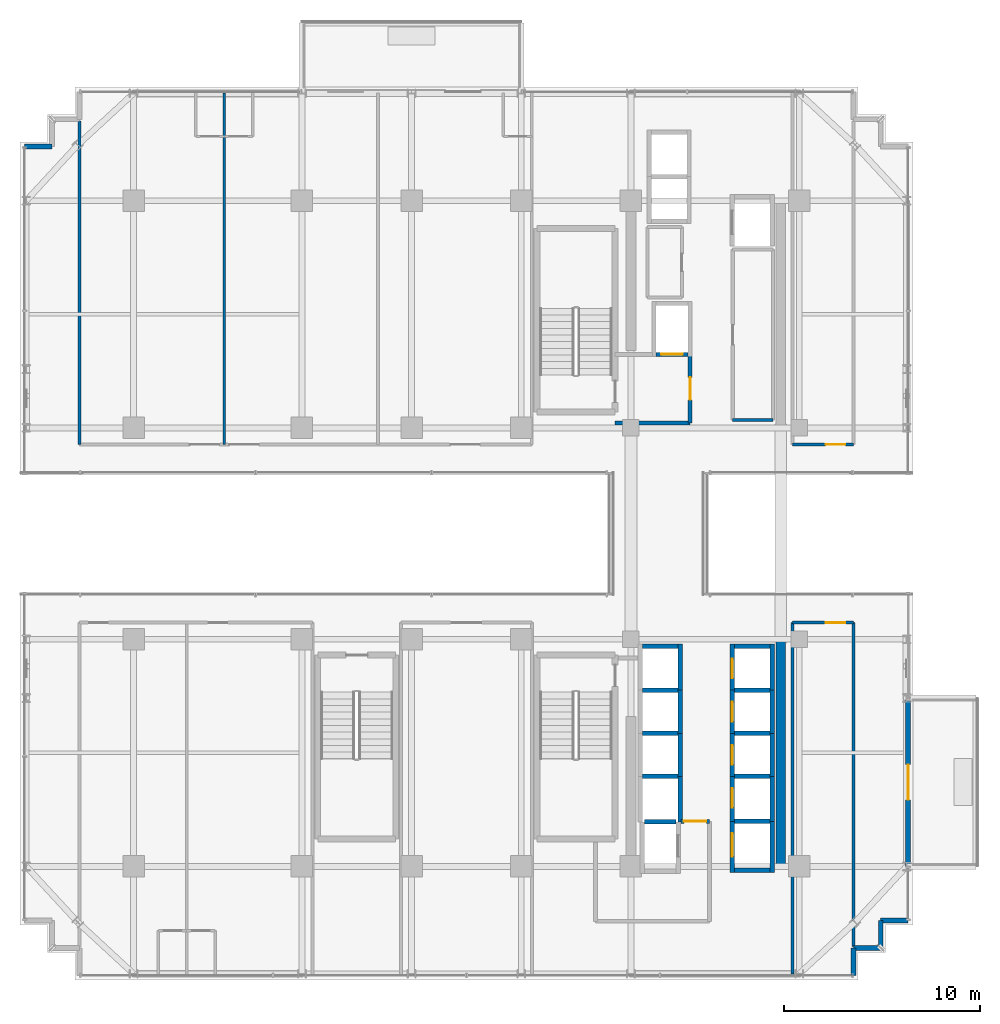
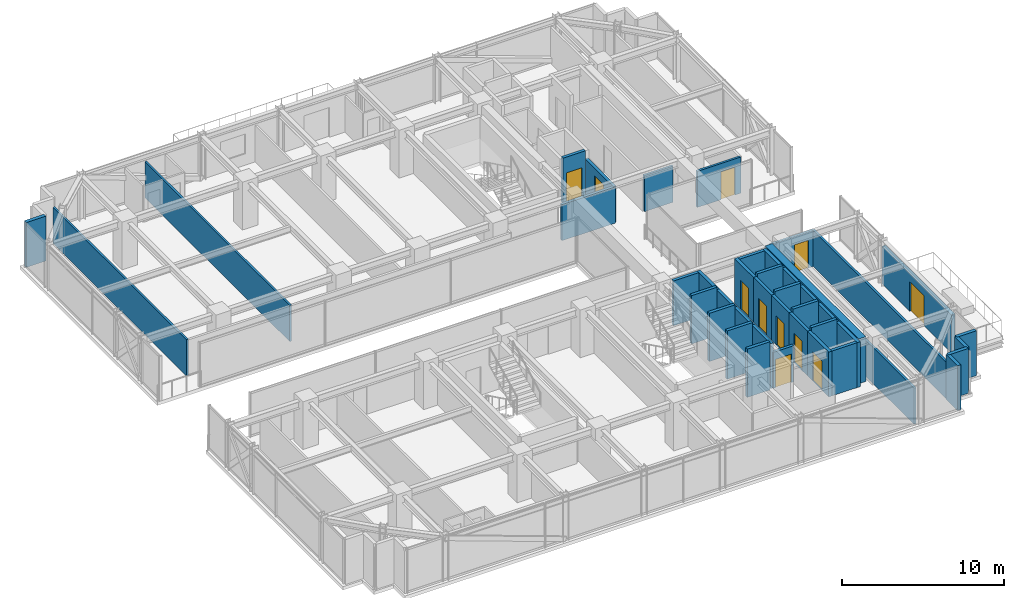
# One storey, part 35 of 41: 43 walls, 11 doors, 11 openings.
"""IFC4 building model written with IfcOpenShell, lengths in metres."""

from ifc_helpers import new_model, si_unit, direction, frame, frame_2d, origin, place, context, subcontext, project, spatial, rectangle, extrude, source, transform, mapped, material, layer, layer_set, type_object, element, fill, save


model = new_model("IFC4")

# Units and contexts
model_context = context("Model", 3, precision=1e-05, world=origin(), true_north=direction((0.0, 1.0)))
body_context = subcontext(model_context, "Body", "Model", "MODEL_VIEW")
ifc_project = project(units=[si_unit("LENGTHUNIT", "METRE"), si_unit("AREAUNIT", "SQUARE_METRE"), si_unit("VOLUMEUNIT", "CUBIC_METRE"), si_unit("PLANEANGLEUNIT", "RADIAN"), si_unit("MASSUNIT", "GRAM", prefix="KILO")], contexts=[model_context])

# Site, building, storey
site_placement = place(None, origin())
site = spatial("IfcSite", under=ifc_project, at=site_placement, CompositionType="ELEMENT")
building_placement = place(site_placement, origin())
building = spatial("IfcBuilding", under=site, at=building_placement, Name="Nahalor Promenade Grand Hotel", CompositionType="ELEMENT")
storey_placement = place(building_placement, frame((0.0, 0.0, 159.949951171875)))
storey = spatial("IfcBuildingStorey", under=building, at=storey_placement, Name="L40", CompositionType="ELEMENT", Elevation=159.949951171875)

# Walls
ifc_material_1 = material(Name="Concrete B-60 (C50/60)", Category="concrete")
ifc_layer_1 = layer(ifc_material_1, 0.5)
ifc_layer_set_1 = layer_set([ifc_layer_1], Name="Concrete B-60 (C50/60)")
wall_type_1 = type_object("IfcWallType", Name="Wall-CoreShear-500", PredefinedType="SHEAR", material=ifc_layer_set_1)
shared_shape_1 = source(origin(), body_context, "Body", "SweptSolid", [
    extrude(rectangle(XDim=11.60009765625, YDim=0.5, at=frame_2d((5.800048828125, 0.0))), origin(), (0.0, 0.0, 1.0), 3.39013671875),
])
wall_1_placement = place(storey_placement, frame((16.050048828125, -17.0, 0.0), z_axis=(0.0, 0.0, 1.0), x_axis=(0.0, 1.0, 0.0)))
element("IfcWall", 1, at=wall_1_placement, inside=storey, type_object=wall_type_1, Name="CWALL-L40-SE", PredefinedType="SHEAR", context=body_context, shape_type="MappedRepresentation", body=[
    mapped(shared_shape_1, transform((0.0, 0.0, 0.0), scale=1.0)),
])
ifc_material_2 = material(Name="Concrete B-50 (C40/50)", Category="concrete")
ifc_layer_2 = layer(ifc_material_2, 0.219970703125)
ifc_layer_set_2 = layer_set([ifc_layer_2], Name="Concrete B-50 (C40/50)")
wall_type_2 = type_object("IfcWallType", Name="Wall-LiftShaft-220", PredefinedType="SHEAR", material=ifc_layer_set_2)
shared_shape_2 = source(origin(), body_context, "Body", "SweptSolid", [
    extrude(rectangle(XDim=1.820068359375, YDim=0.219970703125, at=frame_2d((0.91015625, 0.0))), origin(), (0.0, 0.0, 1.0), 3.650146484375),
])
for number, where, z_axis, x_axis, name in (
    (2, (13.68994140625, -8.0, 0.0), (0.0, 0.0, 1.0), (1.0, 0.0, 0.0), "L40 Lift PL6 Hoistway Wall N"),
    (3, (13.68994140625, -10.199951171875, 0.0), (0.0, 0.0, 1.0), (1.0, 0.0, 0.0), "L40 Lift PL7 Hoistway Wall N"),
    (4, (13.68994140625, -12.39990234375, 0.0), (0.0, 0.0, 1.0), (1.0, 0.0, 0.0), "L40 Lift PL8 Hoistway Wall N"),
    (5, (8.989990234375, -8.0, 0.0), (0.0, 0.0, 1.0), (1.0, 0.0, 0.0), "L40 Lift PL10 Hoistway Wall N"),
    (6, (8.989990234375, -10.199951171875, 0.0), (0.0, 0.0, 1.0), (1.0, 0.0, 0.0), "L40 Lift PL11 Hoistway Wall N"),
    (7, (8.989990234375, -12.39990234375, 0.0), (0.0, 0.0, 1.0), (1.0, 0.0, 0.0), "L40 Lift PL12 Hoistway Wall N"),
    (8, (13.68994140625, -14.699951171875, 0.0), (0.0, 0.0, 1.0), (1.0, 0.0, 0.0), "L40 Lift SV2 Hoistway Wall N"),
):
    element("IfcWall", number, at=place(storey_placement, frame(where, z_axis=z_axis, x_axis=x_axis)), inside=storey, type_object=wall_type_2, Name=name, PredefinedType="SHEAR", context=body_context, shape_type="MappedRepresentation", body=[
        mapped(shared_shape_2, transform((0.0, 0.0, 0.0), scale=1.0)),
    ])

# Wall, opening, door
shared_shape_3 = source(origin(), body_context, "Body", "SweptSolid", [
    extrude(rectangle(XDim=2.360107421875, YDim=0.219970703125, at=frame_2d((1.18017578125, 0.0))), origin(), (0.0, 0.0, 1.0), 3.39013671875),
])
wall_2_placement = place(storey_placement, frame((13.580078125, -8.0, 0.0), z_axis=(0.0, 0.0, 1.0), x_axis=(0.0, 1.0, 0.0)))
wall_2 = element("IfcWall", 9, at=wall_2_placement, inside=storey, type_object=wall_type_2, Name="L40 Lift PL5 Hoistway Wall W", PredefinedType="SHEAR", context=body_context, shape_type="MappedRepresentation", body=[
    mapped(shared_shape_3, transform((0.0, 0.0, 0.0), scale=1.0)),
])
opening_1_placement = place(wall_2_placement, frame((0.60009765625, 0.0, 0.0)))
opening_1 = element("IfcOpeningElement", 10, at=opening_1_placement, cuts=wall_2, Name="Opening LD-01", PredefinedType="OPENING", context=body_context, shape_type="SweptSolid", body=[
    extrude(rectangle(XDim=1.0, YDim=2.199951171875, at=frame_2d((0.5, 1.10009765625))), frame((0.0, 0.119873046875, 0.0), z_axis=(0.0, -1.0, 0.0), x_axis=(1.0, 0.0, 0.0)), (0.0, 0.0, 1.0), 0.239990234375),
])
ifc_material_3 = material(Name="Steel S355JR", Category="steel")
door_type_1 = type_object("IfcDoorType", Name="Door-LiftLanding-1000", OperationType="DOUBLE_DOOR_SLIDING", PredefinedType="DOOR", material=ifc_material_3)
shared_shape_4 = source(origin(), body_context, "Body", "SweptSolid", [
    extrude(rectangle(XDim=1.0, YDim=2.199951171875, at=frame_2d((0.5, 1.10009765625))), frame((0.0, 0.02490234375, 0.0), z_axis=(0.0, -1.0, 0.0), x_axis=(1.0, 0.0, 0.0)), (0.0, 0.0, 1.0), 0.050048828125),
])
door_1_placement = place(opening_1_placement, origin())
door_1 = element("IfcDoor", 11, at=door_1_placement, inside=storey, type_object=door_type_1, Name="DR-LIFT-PL5-L40", OperationType="DOUBLE_DOOR_SLIDING", OverallHeight=2.199951171875, OverallWidth=1.0, PredefinedType="DOOR", context=body_context, shape_type="MappedRepresentation", body=[
    mapped(shared_shape_4, transform((0.0, 0.0, 0.0), scale=1.0)),
])
fill(opening_1, door_1)

# Walls
for number, where, z_axis, x_axis, name in (
    (12, (15.6201171875, -8.0, 0.0), (0.0, 0.0, 1.0), (0.0, 1.0, 0.0), "L40 Lift PL5 Hoistway Wall E"),
    (13, (10.919921875, -8.0, 0.0), (0.0, 0.0, 1.0), (0.0, 1.0, 0.0), "L40 Lift PL9 Hoistway Wall E"),
):
    element("IfcWall", number, at=place(storey_placement, frame(where, z_axis=z_axis, x_axis=x_axis)), inside=storey, type_object=wall_type_2, Name=name, PredefinedType="SHEAR", context=body_context, shape_type="MappedRepresentation", body=[
        mapped(shared_shape_3, transform((0.0, 0.0, 0.0), scale=1.0)),
    ])
shared_shape_5 = source(origin(), body_context, "Body", "SweptSolid", [
    extrude(rectangle(XDim=1.820068359375, YDim=0.219970703125, at=frame_2d((0.91015625, 0.0))), origin(), (0.0, 0.0, 1.0), 3.39013671875),
])
for number, where, z_axis, x_axis, name in (
    (14, (13.68994140625, -5.75, 0.0), (0.0, 0.0, 1.0), (1.0, 0.0, 0.0), "L40 Lift PL5 Hoistway Wall N"),
    (15, (8.989990234375, -5.75, 0.0), (0.0, 0.0, 1.0), (1.0, 0.0, 0.0), "L40 Lift PL9 Hoistway Wall N"),
    (16, (13.68994140625, -17.199951171875, 0.0), (0.0, 0.0, 1.0), (1.0, 0.0, 0.0), "L40 Lift SV2 Hoistway Wall S"),
):
    element("IfcWall", number, at=place(storey_placement, frame(where, z_axis=z_axis, x_axis=x_axis)), inside=storey, type_object=wall_type_2, Name=name, PredefinedType="SHEAR", context=body_context, shape_type="MappedRepresentation", body=[
        mapped(shared_shape_5, transform((0.0, 0.0, 0.0), scale=1.0)),
    ])

# Wall, opening, door
shared_shape_6 = source(origin(), body_context, "Body", "SweptSolid", [
    extrude(rectangle(XDim=2.199951171875, YDim=0.219970703125, at=frame_2d((1.10009765625, 0.0))), origin(), (0.0, 0.0, 1.0), 3.39013671875),
])
wall_3_placement = place(storey_placement, frame((13.580078125, -10.199951171875, 0.0), z_axis=(0.0, 0.0, 1.0), x_axis=(0.0, 1.0, 0.0)))
wall_3 = element("IfcWall", 17, at=wall_3_placement, inside=storey, type_object=wall_type_2, Name="L40 Lift PL6 Hoistway Wall W", PredefinedType="SHEAR", context=body_context, shape_type="MappedRepresentation", body=[
    mapped(shared_shape_6, transform((0.0, 0.0, 0.0), scale=1.0)),
])
opening_2_placement = place(wall_3_placement, frame((0.60009765625, 0.0, 0.0)))
opening_2 = element("IfcOpeningElement", 18, at=opening_2_placement, cuts=wall_3, Name="Opening LD-01", PredefinedType="OPENING", context=body_context, shape_type="SweptSolid", body=[
    extrude(rectangle(XDim=1.0, YDim=2.199951171875, at=frame_2d((0.5, 1.10009765625))), frame((0.0, 0.119873046875, 0.0), z_axis=(0.0, -1.0, 0.0), x_axis=(1.0, 0.0, 0.0)), (0.0, 0.0, 1.0), 0.239990234375),
])
door_2_placement = place(opening_2_placement, origin())
door_2 = element("IfcDoor", 19, at=door_2_placement, inside=storey, type_object=door_type_1, Name="DR-LIFT-PL6-L40", OperationType="DOUBLE_DOOR_SLIDING", OverallHeight=2.199951171875, OverallWidth=1.0, PredefinedType="DOOR", context=body_context, shape_type="MappedRepresentation", body=[
    mapped(shared_shape_4, transform((0.0, 0.0, 0.0), scale=1.0)),
])
fill(opening_2, door_2)

# Wall
wall_4_placement = place(storey_placement, frame((15.6201171875, -10.199951171875, 0.0), z_axis=(0.0, 0.0, 1.0), x_axis=(0.0, 1.0, 0.0)))
element("IfcWall", 20, at=wall_4_placement, inside=storey, type_object=wall_type_2, Name="L40 Lift PL6 Hoistway Wall E", PredefinedType="SHEAR", context=body_context, shape_type="MappedRepresentation", body=[
    mapped(shared_shape_6, transform((0.0, 0.0, 0.0), scale=1.0)),
])

# Wall, opening, door
wall_5_placement = place(storey_placement, frame((13.580078125, -12.39990234375, 0.0), z_axis=(0.0, 0.0, 1.0), x_axis=(0.0, 1.0, 0.0)))
wall_5 = element("IfcWall", 21, at=wall_5_placement, inside=storey, type_object=wall_type_2, Name="L40 Lift PL7 Hoistway Wall W", PredefinedType="SHEAR", context=body_context, shape_type="MappedRepresentation", body=[
    mapped(shared_shape_6, transform((0.0, 0.0, 0.0), scale=1.0)),
])
opening_3_placement = place(wall_5_placement, frame((0.60009765625, 0.0, 0.0)))
opening_3 = element("IfcOpeningElement", 22, at=opening_3_placement, cuts=wall_5, Name="Opening LD-01", PredefinedType="OPENING", context=body_context, shape_type="SweptSolid", body=[
    extrude(rectangle(XDim=1.0, YDim=2.199951171875, at=frame_2d((0.5, 1.10009765625))), frame((0.0, 0.119873046875, 0.0), z_axis=(0.0, -1.0, 0.0), x_axis=(1.0, 0.0, 0.0)), (0.0, 0.0, 1.0), 0.239990234375),
])
door_3_placement = place(opening_3_placement, origin())
door_3 = element("IfcDoor", 23, at=door_3_placement, inside=storey, type_object=door_type_1, Name="DR-LIFT-PL7-L40", OperationType="DOUBLE_DOOR_SLIDING", OverallHeight=2.199951171875, OverallWidth=1.0, PredefinedType="DOOR", context=body_context, shape_type="MappedRepresentation", body=[
    mapped(shared_shape_4, transform((0.0, 0.0, 0.0), scale=1.0)),
])
fill(opening_3, door_3)

# Walls
for number, where, z_axis, x_axis, name in (
    (24, (15.6201171875, -12.39990234375, 0.0), (0.0, 0.0, 1.0), (0.0, 1.0, 0.0), "L40 Lift PL7 Hoistway Wall E"),
    (25, (10.919921875, -10.199951171875, 0.0), (0.0, 0.0, 1.0), (0.0, 1.0, 0.0), "L40 Lift PL10 Hoistway Wall E"),
    (26, (10.919921875, -12.39990234375, 0.0), (0.0, 0.0, 1.0), (0.0, 1.0, 0.0), "L40 Lift PL11 Hoistway Wall E"),
):
    element("IfcWall", number, at=place(storey_placement, frame(where, z_axis=z_axis, x_axis=x_axis)), inside=storey, type_object=wall_type_2, Name=name, PredefinedType="SHEAR", context=body_context, shape_type="MappedRepresentation", body=[
        mapped(shared_shape_6, transform((0.0, 0.0, 0.0), scale=1.0)),
    ])

# Wall, opening, door
shared_shape_7 = source(origin(), body_context, "Body", "SweptSolid", [
    extrude(rectangle(XDim=2.300048828125, YDim=0.219970703125, at=frame_2d((1.14990234375, 0.0))), origin(), (0.0, 0.0, 1.0), 3.39013671875),
])
wall_6_placement = place(storey_placement, frame((13.580078125, -14.699951171875, 0.0), z_axis=(0.0, 0.0, 1.0), x_axis=(0.0, 1.0, 0.0)))
wall_6 = element("IfcWall", 27, at=wall_6_placement, inside=storey, type_object=wall_type_2, Name="L40 Lift PL8 Hoistway Wall W", PredefinedType="SHEAR", context=body_context, shape_type="MappedRepresentation", body=[
    mapped(shared_shape_7, transform((0.0, 0.0, 0.0), scale=1.0)),
])
opening_4_placement = place(wall_6_placement, frame((0.699951171875, 0.0, 0.0)))
opening_4 = element("IfcOpeningElement", 28, at=opening_4_placement, cuts=wall_6, Name="Opening LD-01", PredefinedType="OPENING", context=body_context, shape_type="SweptSolid", body=[
    extrude(rectangle(XDim=1.0, YDim=2.199951171875, at=frame_2d((0.5, 1.10009765625))), frame((0.0, 0.119873046875, 0.0), z_axis=(0.0, -1.0, 0.0), x_axis=(1.0, 0.0, 0.0)), (0.0, 0.0, 1.0), 0.239990234375),
])
door_4_placement = place(opening_4_placement, origin())
door_4 = element("IfcDoor", 29, at=door_4_placement, inside=storey, type_object=door_type_1, Name="DR-LIFT-PL8-L40", OperationType="DOUBLE_DOOR_SLIDING", OverallHeight=2.199951171875, OverallWidth=1.0, PredefinedType="DOOR", context=body_context, shape_type="MappedRepresentation", body=[
    mapped(shared_shape_4, transform((0.0, 0.0, 0.0), scale=1.0)),
])
fill(opening_4, door_4)

# Walls
wall_7_placement = place(storey_placement, frame((15.6201171875, -14.699951171875, 0.0), z_axis=(0.0, 0.0, 1.0), x_axis=(0.0, 1.0, 0.0)))
element("IfcWall", 30, at=wall_7_placement, inside=storey, type_object=wall_type_2, Name="L40 Lift PL8 Hoistway Wall E", PredefinedType="SHEAR", context=body_context, shape_type="MappedRepresentation", body=[
    mapped(shared_shape_7, transform((0.0, 0.0, 0.0), scale=1.0)),
])
shared_shape_8 = source(origin(), body_context, "Body", "SweptSolid", [
    extrude(rectangle(XDim=2.3251953125, YDim=0.219970703125, at=frame_2d((1.16259765625, 0.0))), origin(), (0.0, 0.0, 1.0), 3.39013671875),
])
wall_8_placement = place(storey_placement, frame((10.919921875, -14.72509765625, 0.0), z_axis=(0.0, 0.0, 1.0), x_axis=(0.0, 1.0, 0.0)))
element("IfcWall", 31, at=wall_8_placement, inside=storey, type_object=wall_type_2, Name="L40 Lift PL12 Hoistway Wall E", PredefinedType="SHEAR", context=body_context, shape_type="MappedRepresentation", body=[
    mapped(shared_shape_8, transform((0.0, 0.0, 0.0), scale=1.0)),
])

# Wall, opening, door
shared_shape_9 = source(origin(), body_context, "Body", "SweptSolid", [
    extrude(rectangle(XDim=1.6201171875, YDim=0.219970703125, at=frame_2d((0.81005859375, 0.0))), origin(), (0.0, 0.0, 1.0), 3.39013671875),
])
wall_9_placement = place(storey_placement, frame((9.68994140625, 9.14990234375, 0.0), z_axis=(0.0, 0.0, 1.0), x_axis=(1.0, 0.0, 0.0)))
wall_9 = element("IfcWall", 32, at=wall_9_placement, inside=storey, type_object=wall_type_2, Name="L40 Lift FL1 Hoistway Wall S", PredefinedType="SHEAR", context=body_context, shape_type="MappedRepresentation", body=[
    mapped(shared_shape_9, transform((0.0, 0.0, 0.0), scale=1.0)),
])
opening_5_placement = place(wall_9_placement, frame((0.260009765625, 0.0, 0.0)))
opening_5 = element("IfcOpeningElement", 33, at=opening_5_placement, cuts=wall_9, Name="Opening LD-02", PredefinedType="OPENING", context=body_context, shape_type="SweptSolid", body=[
    extrude(rectangle(XDim=1.10009765625, YDim=2.199951171875, at=frame_2d((0.550048828125, 1.10009765625))), frame((0.0, 0.119873046875, 0.0), z_axis=(0.0, -1.0, 0.0), x_axis=(1.0, 0.0, 0.0)), (0.0, 0.0, 1.0), 0.239990234375),
])
door_type_2 = type_object("IfcDoorType", Name="Door-LiftFF-1100", OperationType="DOUBLE_DOOR_SLIDING", PredefinedType="DOOR", material=ifc_material_3)
shared_shape_10 = source(origin(), body_context, "Body", "SweptSolid", [
    extrude(rectangle(XDim=1.10009765625, YDim=2.199951171875, at=frame_2d((0.550048828125, 1.10009765625))), frame((0.0, 0.02490234375, 0.0), z_axis=(0.0, -1.0, 0.0), x_axis=(1.0, 0.0, 0.0)), (0.0, 0.0, 1.0), 0.050048828125),
])
door_5_placement = place(opening_5_placement, frame((1.10009765625, 0.0, 0.0), z_axis=(0.0, 0.0, 1.0), x_axis=(-1.0, 0.0, 0.0)))
door_5 = element("IfcDoor", 34, at=door_5_placement, inside=storey, type_object=door_type_2, Name="DR-LIFT-FL1-L40", OperationType="DOUBLE_DOOR_SLIDING", OverallHeight=2.199951171875, OverallWidth=1.10009765625, PredefinedType="DOOR", context=body_context, shape_type="MappedRepresentation", body=[
    mapped(shared_shape_10, transform((0.0, 0.0, 0.0), scale=1.0)),
])
fill(opening_5, door_5)

# Wall
shared_shape_11 = source(origin(), body_context, "Body", "SweptSolid", [
    extrude(rectangle(XDim=1.619873046875, YDim=0.219970703125, at=frame_2d((0.81005859375, 0.0))), origin(), (0.0, 0.0, 1.0), 3.650146484375),
])
wall_10_placement = place(storey_placement, frame((9.090087890625, -14.72509765625, 0.0), z_axis=(0.0, 0.0, 1.0), x_axis=(1.0, 0.0, 0.0)))
element("IfcWall", 35, at=wall_10_placement, inside=storey, type_object=wall_type_2, Name="L40 Lift FL2 Hoistway Wall N", PredefinedType="SHEAR", context=body_context, shape_type="MappedRepresentation", body=[
    mapped(shared_shape_11, transform((0.0, 0.0, 0.0), scale=1.0)),
])

# Wall, opening, door
shared_shape_12 = source(origin(), body_context, "Body", "SweptSolid", [
    extrude(rectangle(XDim=2.610107421875, YDim=0.219970703125, at=frame_2d((1.30517578125, 0.0))), origin(), (0.0, 0.0, 1.0), 3.39013671875),
])
wall_11_placement = place(storey_placement, frame((13.580078125, -17.31005859375, 0.0), z_axis=(0.0, 0.0, 1.0), x_axis=(0.0, 1.0, 0.0)))
wall_11 = element("IfcWall", 36, at=wall_11_placement, inside=storey, type_object=wall_type_2, Name="L40 Lift SV2 Hoistway Wall W", PredefinedType="SHEAR", context=body_context, shape_type="MappedRepresentation", body=[
    mapped(shared_shape_12, transform((0.0, 0.0, 0.0), scale=1.0)),
])
opening_6_placement = place(wall_11_placement, frame((0.81005859375, 0.0, 0.0)))
opening_6 = element("IfcOpeningElement", 37, at=opening_6_placement, cuts=wall_11, Name="Opening LD-03", PredefinedType="OPENING", context=body_context, shape_type="SweptSolid", body=[
    extrude(rectangle(XDim=1.199951171875, YDim=2.199951171875, at=frame_2d((0.60009765625, 1.10009765625))), frame((0.0, 0.119873046875, 0.0), z_axis=(0.0, -1.0, 0.0), x_axis=(1.0, 0.0, 0.0)), (0.0, 0.0, 1.0), 0.239990234375),
])
door_type_3 = type_object("IfcDoorType", Name="Door-LiftService-1200", OperationType="DOUBLE_DOOR_SLIDING", PredefinedType="DOOR", material=ifc_material_3)
shared_shape_13 = source(origin(), body_context, "Body", "SweptSolid", [
    extrude(rectangle(XDim=1.199951171875, YDim=2.199951171875, at=frame_2d((0.60009765625, 1.10009765625))), frame((0.0, 0.02490234375, 0.0), z_axis=(0.0, -1.0, 0.0), x_axis=(1.0, 0.0, 0.0)), (0.0, 0.0, 1.0), 0.050048828125),
])
door_6_placement = place(opening_6_placement, origin())
door_6 = element("IfcDoor", 38, at=door_6_placement, inside=storey, type_object=door_type_3, Name="DR-LIFT-SV2-L40", OperationType="DOUBLE_DOOR_SLIDING", OverallHeight=2.199951171875, OverallWidth=1.199951171875, PredefinedType="DOOR", context=body_context, shape_type="MappedRepresentation", body=[
    mapped(shared_shape_13, transform((0.0, 0.0, 0.0), scale=1.0)),
])
fill(opening_6, door_6)

# Wall
wall_12_placement = place(storey_placement, frame((15.6201171875, -17.31005859375, 0.0), z_axis=(0.0, 0.0, 1.0), x_axis=(0.0, 1.0, 0.0)))
element("IfcWall", 39, at=wall_12_placement, inside=storey, type_object=wall_type_2, Name="L40 Lift SV2 Hoistway Wall E", PredefinedType="SHEAR", context=body_context, shape_type="MappedRepresentation", body=[
    mapped(shared_shape_12, transform((0.0, 0.0, 0.0), scale=1.0)),
])

# Wall, opening, door
ifc_material_4 = material(Name="Concrete B-40 (C32/40)", Category="concrete")
ifc_layer_3 = layer(ifc_material_4, 0.260009765625)
ifc_layer_set_3 = layer_set([ifc_layer_3], Name="Concrete B-40 (C32/40)")
wall_type_3 = type_object("IfcWallType", Name="Wall-BalconyWall-260", PredefinedType="STANDARD", material=ifc_layer_set_3)
shared_shape_14 = source(origin(), body_context, "Body", "SweptSolid", [
    extrude(rectangle(XDim=8.60009765625, YDim=0.260009765625, at=frame_2d((4.300048828125, 0.0))), origin(), (0.0, 0.0, 1.0), 2.8701171875),
])
wall_13_placement = place(storey_placement, frame((22.56005859375, -17.0, 0.0), z_axis=(0.0, 0.0, 1.0), x_axis=(0.0, 1.0, 0.0)))
wall_13 = element("IfcWall", 40, at=wall_13_placement, inside=storey, type_object=wall_type_3, Name="W-L40-BALC-E-2", PredefinedType="STANDARD", context=body_context, shape_type="MappedRepresentation", body=[
    mapped(shared_shape_14, transform((0.0, 0.0, 0.0), scale=1.0)),
])
opening_7_placement = place(wall_13_placement, frame((3.39990234375, 0.0, 0.0)))
opening_7 = element("IfcOpeningElement", 41, at=opening_7_placement, cuts=wall_13, Name="Opening D-BC1", PredefinedType="OPENING", context=body_context, shape_type="SweptSolid", body=[
    extrude(rectangle(XDim=1.800048828125, YDim=2.25, at=frame_2d((0.89990234375, 1.125))), frame((0.0, 0.139892578125, 0.0), z_axis=(0.0, -1.0, 0.0), x_axis=(1.0, 0.0, 0.0)), (0.0, 0.0, 1.0), 0.280029296875),
])
ifc_material_5 = material(Name="Anodised Bronze Aluminium EN AW-6063 T6", Category="aluminium")
door_type_4 = type_object("IfcDoorType", Name="Door-BalconySlide-1800", OperationType="DOUBLE_DOOR_SLIDING", PredefinedType="DOOR", material=ifc_material_5)
shared_shape_15 = source(origin(), body_context, "Body", "SweptSolid", [
    extrude(rectangle(XDim=1.800048828125, YDim=2.25, at=frame_2d((0.89990234375, 1.125))), frame((0.0, 0.02490234375, 0.0), z_axis=(0.0, -1.0, 0.0), x_axis=(1.0, 0.0, 0.0)), (0.0, 0.0, 1.0), 0.050048828125),
])
door_7_placement = place(opening_7_placement, frame((1.800048828125, 0.0, 0.0), z_axis=(0.0, 0.0, 1.0), x_axis=(-1.0, 0.0, 0.0)))
door_7 = element("IfcDoor", 42, at=door_7_placement, inside=storey, type_object=door_type_4, Name="DR-L40-BALC-E-2", OperationType="DOUBLE_DOOR_SLIDING", OverallHeight=2.25, OverallWidth=1.800048828125, PredefinedType="DOOR", context=body_context, shape_type="MappedRepresentation", body=[
    mapped(shared_shape_15, transform((0.0, 0.0, 0.0), scale=1.0)),
])
fill(opening_7, door_7)

# Walls
ifc_layer_4 = layer(ifc_material_4, 0.25)
ifc_layer_set_4 = layer_set([ifc_layer_4], Name="Concrete B-40 (C32/40)")
wall_type_4 = type_object("IfcWallType", Name="Wall-BronzePier-250", PredefinedType="STANDARD", material=ifc_layer_set_4)
shared_shape_16 = source(origin(), body_context, "Body", "SweptSolid", [
    extrude(rectangle(XDim=1.400146484375, YDim=0.25, at=frame_2d((0.7001953125, 0.0))), origin(), (0.0, 0.0, 1.0), 3.39013671875),
])
for number, where, z_axis, x_axis, name in (
    (43, (19.760009765625, -22.56005859375, 0.0), (0.0, 0.0, 1.0), (0.0, 1.0, 0.0), "W-L40-SR-01"),
    (44, (21.159912109375, -19.760009765625, 0.0), (0.0, 0.0, 1.0), (1.0, 0.0, 0.0), "W-L40-SR-04"),
    (45, (-22.56005859375, 19.760009765625, 0.0), (0.0, 0.0, 1.0), (1.0, 0.0, 0.0), "W-L40-SR-12"),
):
    element("IfcWall", number, at=place(storey_placement, frame(where, z_axis=z_axis, x_axis=x_axis)), inside=storey, type_object=wall_type_4, Name=name, PredefinedType="STANDARD", context=body_context, shape_type="MappedRepresentation", body=[
        mapped(shared_shape_16, transform((0.0, 0.0, 0.0), scale=1.0)),
    ])
shared_shape_17 = source(origin(), body_context, "Body", "SweptSolid", [
    extrude(rectangle(XDim=1.39990234375, YDim=0.25, at=frame_2d((0.699951171875, 0.0))), origin(), (0.0, 0.0, 1.0), 3.39013671875),
])
for number, where, z_axis, x_axis, name in (
    (46, (19.760009765625, -21.159912109375, 0.0), (0.0, 0.0, 1.0), (1.0, 0.0, 0.0), "W-L40-SR-02"),
    (47, (21.159912109375, -21.159912109375, 0.0), (0.0, 0.0, 1.0), (0.0, 1.0, 0.0), "W-L40-SR-03"),
):
    element("IfcWall", number, at=place(storey_placement, frame(where, z_axis=z_axis, x_axis=x_axis)), inside=storey, type_object=wall_type_4, Name=name, PredefinedType="STANDARD", context=body_context, shape_type="MappedRepresentation", body=[
        mapped(shared_shape_17, transform((0.0, 0.0, 0.0), scale=1.0)),
    ])
ifc_layer_5 = layer(ifc_material_4, 0.199951171875)
ifc_layer_set_5 = layer_set([ifc_layer_5], Name="Concrete B-40 (C32/40)")
wall_type_5 = type_object("IfcWallType", Name="Wall-PartFire-200", PredefinedType="PARTITIONING", material=ifc_layer_set_5)
shared_shape_18 = source(origin(), body_context, "Body", "SweptSolid", [
    extrude(rectangle(XDim=3.81982421875, YDim=0.199951171875, at=frame_2d((1.909912109375, 0.0))), origin(), (0.0, 0.0, 1.0), 2.72998046875),
])
wall_14_placement = place(storey_placement, frame((7.60009765625, 5.64990234375, 0.0), z_axis=(0.0, 0.0, 1.0), x_axis=(1.0, 0.0, 0.0)))
element("IfcWall", 48, at=wall_14_placement, inside=storey, type_object=wall_type_5, Name="W-L40-FF1-S", PredefinedType="PARTITIONING", context=body_context, shape_type="MappedRepresentation", body=[
    mapped(shared_shape_18, transform((0.0, 0.0, 0.0), scale=1.0)),
])

# Wall, opening, door
shared_shape_19 = source(origin(), body_context, "Body", "SweptSolid", [
    extrude(rectangle(XDim=3.5, YDim=0.199951171875, at=frame_2d((1.75, 0.0))), origin(), (0.0, 0.0, 1.0), 2.72998046875),
])
wall_15_placement = place(storey_placement, frame((11.419921875, 5.64990234375, 0.0), z_axis=(0.0, 0.0, 1.0), x_axis=(0.0, 1.0, 0.0)))
wall_15 = element("IfcWall", 49, at=wall_15_placement, inside=storey, type_object=wall_type_5, Name="W-L40-FF1-E", PredefinedType="PARTITIONING", context=body_context, shape_type="MappedRepresentation", body=[
    mapped(shared_shape_19, transform((0.0, 0.0, 0.0), scale=1.0)),
])
opening_8_placement = place(wall_15_placement, frame((1.175048828125, 0.0, 0.0)))
opening_8 = element("IfcOpeningElement", 50, at=opening_8_placement, cuts=wall_15, Name="Opening D-FF1", PredefinedType="OPENING", context=body_context, shape_type="SweptSolid", body=[
    extrude(rectangle(XDim=1.14990234375, YDim=2.14990234375, at=frame_2d((0.574951171875, 1.074951171875))), frame((0.0, 0.10986328125, 0.0), z_axis=(0.0, -1.0, 0.0), x_axis=(1.0, 0.0, 0.0)), (0.0, 0.0, 1.0), 0.219970703125),
])
door_type_5 = type_object("IfcDoorType", Name="Door-FFLobby-1150", OperationType="NOTDEFINED", PredefinedType="DOOR", material=ifc_material_3)
shared_shape_20 = source(origin(), body_context, "Body", "SweptSolid", [
    extrude(rectangle(XDim=1.14990234375, YDim=2.14990234375, at=frame_2d((0.574951171875, 1.074951171875))), frame((0.0, 0.02490234375, 0.0), z_axis=(0.0, -1.0, 0.0), x_axis=(1.0, 0.0, 0.0)), (0.0, 0.0, 1.0), 0.050048828125),
])
door_8_placement = place(opening_8_placement, frame((1.14990234375, 0.0, 0.0), z_axis=(0.0, 0.0, 1.0), x_axis=(-1.0, 0.0, 0.0)))
door_8 = element("IfcDoor", 51, at=door_8_placement, inside=storey, type_object=door_type_5, Name="DR-L40-FFL1", OperationType="SINGLE_SWING_RIGHT", OverallHeight=2.14990234375, OverallWidth=1.14990234375, PredefinedType="DOOR", context=body_context, shape_type="MappedRepresentation", body=[
    mapped(shared_shape_20, transform((0.0, 0.0, 0.0), scale=1.0)),
])
fill(opening_8, door_8)

shared_shape_21 = source(origin(), body_context, "Body", "SweptSolid", [
    extrude(rectangle(XDim=1.4599609375, YDim=0.199951171875, at=frame_2d((0.72998046875, 0.0))), origin(), (0.0, 0.0, 1.0), 2.72998046875),
])
wall_16_placement = place(storey_placement, frame((10.9599609375, -14.699951171875, 0.0), z_axis=(0.0, 0.0, 1.0), x_axis=(1.0, 0.0, 0.0)))
wall_16 = element("IfcWall", 52, at=wall_16_placement, inside=storey, type_object=wall_type_5, Name="W-L40-FF2-N1", PredefinedType="PARTITIONING", context=body_context, shape_type="MappedRepresentation", body=[
    mapped(shared_shape_21, transform((0.0, 0.0, 0.0), scale=1.0)),
])
opening_9_placement = place(wall_16_placement, frame((0.14501953125, 0.0, 0.0)))
opening_9 = element("IfcOpeningElement", 53, at=opening_9_placement, cuts=wall_16, Name="Opening D-FF1", PredefinedType="OPENING", context=body_context, shape_type="SweptSolid", body=[
    extrude(rectangle(XDim=1.14990234375, YDim=2.14990234375, at=frame_2d((0.574951171875, 1.074951171875))), frame((0.0, 0.10986328125, 0.0), z_axis=(0.0, -1.0, 0.0), x_axis=(1.0, 0.0, 0.0)), (0.0, 0.0, 1.0), 0.219970703125),
])
door_9_placement = place(opening_9_placement, origin())
door_9 = element("IfcDoor", 54, at=door_9_placement, inside=storey, type_object=door_type_5, Name="DR-L40-FFL2", OperationType="SINGLE_SWING_LEFT", OverallHeight=2.14990234375, OverallWidth=1.14990234375, PredefinedType="DOOR", context=body_context, shape_type="MappedRepresentation", body=[
    mapped(shared_shape_20, transform((0.0, 0.0, 0.0), scale=1.0)),
])
fill(opening_9, door_9)

# Wall
ifc_material_6 = material(Name="Acoustic Mineral Gypsum", Category="gypsum")
ifc_layer_6 = layer(ifc_material_6, 0.159912109375)
ifc_layer_set_6 = layer_set([ifc_layer_6], Name="Acoustic Mineral Gypsum")
wall_type_6 = type_object("IfcWallType", Name="Wall-PartCorridor-160", PredefinedType="PARTITIONING", material=ifc_layer_set_6)
shared_shape_22 = source(origin(), body_context, "Body", "SweptSolid", [
    extrude(rectangle(XDim=2.0498046875, YDim=0.159912109375, at=frame_2d((1.02490234375, 0.0))), origin(), (0.0, 0.0, 1.0), 2.72998046875),
])
wall_17_placement = place(storey_placement, frame((13.60009765625, 5.800048828125, 0.0), z_axis=(0.0, 0.0, 1.0), x_axis=(1.0, 0.0, 0.0)))
element("IfcWall", 55, at=wall_17_placement, inside=storey, type_object=wall_type_6, Name="W-L40-FRB1-S", PredefinedType="PARTITIONING", context=body_context, shape_type="MappedRepresentation", body=[
    mapped(shared_shape_22, transform((0.0, 0.0, 0.0), scale=1.0)),
])

# Wall, opening, door
shared_shape_23 = source(origin(), body_context, "Body", "SweptSolid", [
    extrude(rectangle(XDim=3.110107421875, YDim=0.159912109375, at=frame_2d((1.55517578125, 0.0))), origin(), (0.0, 0.0, 1.0), 2.72998046875),
])
wall_18_placement = place(storey_placement, frame((16.64990234375, 4.550048828125, 0.0), z_axis=(0.0, 0.0, 1.0), x_axis=(1.0, 0.0, 0.0)))
wall_18 = element("IfcWall", 56, at=wall_18_placement, inside=storey, type_object=wall_type_6, Name="W-L40-ENE-S", PredefinedType="PARTITIONING", context=body_context, shape_type="MappedRepresentation", body=[
    mapped(shared_shape_23, transform((0.0, 0.0, 0.0), scale=1.0)),
])
opening_10_placement = place(wall_18_placement, frame((1.700927734375, 0.0, 0.0)))
opening_10 = element("IfcOpeningElement", 57, at=opening_10_placement, cuts=wall_18, Name="Opening D-04", PredefinedType="OPENING", context=body_context, shape_type="SweptSolid", body=[
    extrude(rectangle(XDim=1.0, YDim=2.10009765625, at=frame_2d((0.5, 1.050048828125))), frame((0.0, 0.08984375, 0.0), z_axis=(0.0, -1.0, 0.0), x_axis=(1.0, 0.0, 0.0)), (0.0, 0.0, 1.0), 0.179931640625),
])
door_type_6 = type_object("IfcDoorType", Name="Door-ServiceFire-1000", OperationType="NOTDEFINED", PredefinedType="DOOR", material=ifc_material_3)
shared_shape_24 = source(origin(), body_context, "Body", "SweptSolid", [
    extrude(rectangle(XDim=1.0, YDim=2.10009765625, at=frame_2d((0.5, 1.050048828125))), frame((0.0, 0.02490234375, 0.0), z_axis=(0.0, -1.0, 0.0), x_axis=(1.0, 0.0, 0.0)), (0.0, 0.0, 1.0), 0.050048828125),
])
door_10_placement = place(opening_10_placement, origin())
door_10 = element("IfcDoor", 58, at=door_10_placement, inside=storey, type_object=door_type_6, Name="DR-L40-ENE", OperationType="SINGLE_SWING_RIGHT", OverallHeight=2.10009765625, OverallWidth=1.0, PredefinedType="DOOR", context=body_context, shape_type="MappedRepresentation", body=[
    mapped(shared_shape_24, transform((0.0, 0.0, 0.0), scale=1.0)),
])
fill(opening_10, door_10)

wall_19_placement = place(storey_placement, frame((16.64990234375, -4.550048828125, 0.0), z_axis=(0.0, 0.0, 1.0), x_axis=(1.0, 0.0, 0.0)))
wall_19 = element("IfcWall", 59, at=wall_19_placement, inside=storey, type_object=wall_type_6, Name="W-L40-ESE-N", PredefinedType="PARTITIONING", context=body_context, shape_type="MappedRepresentation", body=[
    mapped(shared_shape_23, transform((0.0, 0.0, 0.0), scale=1.0)),
])
opening_11_placement = place(wall_19_placement, frame((1.700927734375, 0.0, 0.0)))
opening_11 = element("IfcOpeningElement", 60, at=opening_11_placement, cuts=wall_19, Name="Opening D-04", PredefinedType="OPENING", context=body_context, shape_type="SweptSolid", body=[
    extrude(rectangle(XDim=1.0, YDim=2.10009765625, at=frame_2d((0.5, 1.050048828125))), frame((0.0, 0.08984375, 0.0), z_axis=(0.0, -1.0, 0.0), x_axis=(1.0, 0.0, 0.0)), (0.0, 0.0, 1.0), 0.179931640625),
])
door_11_placement = place(opening_11_placement, frame((1.0, 0.0, 0.0), z_axis=(0.0, 0.0, 1.0), x_axis=(-1.0, 0.0, 0.0)))
door_11 = element("IfcDoor", 61, at=door_11_placement, inside=storey, type_object=door_type_6, Name="DR-L40-ESE", OperationType="SINGLE_SWING_LEFT", OverallHeight=2.10009765625, OverallWidth=1.0, PredefinedType="DOOR", context=body_context, shape_type="MappedRepresentation", body=[
    mapped(shared_shape_24, transform((0.0, 0.0, 0.0), scale=1.0)),
])
fill(opening_11, door_11)

# Walls
shared_shape_25 = source(origin(), body_context, "Body", "SweptSolid", [
    extrude(rectangle(XDim=17.949951171875, YDim=0.159912109375, at=frame_2d((8.97509765625, 0.0))), origin(), (0.0, 0.0, 1.0), 2.72998046875),
])
wall_20_placement = place(storey_placement, frame((16.64990234375, -22.5, 0.0), z_axis=(0.0, 0.0, 1.0), x_axis=(0.0, 1.0, 0.0)))
element("IfcWall", 62, at=wall_20_placement, inside=storey, type_object=wall_type_6, Name="W-L40-ESE-W", PredefinedType="PARTITIONING", context=body_context, shape_type="MappedRepresentation", body=[
    mapped(shared_shape_25, transform((0.0, 0.0, 0.0), scale=1.0)),
])
shared_shape_26 = source(origin(), body_context, "Body", "SweptSolid", [
    extrude(rectangle(XDim=16.530029296875, YDim=0.159912109375, at=frame_2d((8.26513671875, 0.0))), origin(), (0.0, 0.0, 1.0), 2.72998046875),
])
wall_21_placement = place(storey_placement, frame((19.760009765625, -21.080078125, 0.0), z_axis=(0.0, 0.0, 1.0), x_axis=(0.0, 1.0, 0.0)))
element("IfcWall", 63, at=wall_21_placement, inside=storey, type_object=wall_type_6, Name="W-L40-ESE-E", PredefinedType="PARTITIONING", context=body_context, shape_type="MappedRepresentation", body=[
    mapped(shared_shape_26, transform((0.0, 0.0, 0.0), scale=1.0)),
])
ifc_layer_7 = layer(ifc_material_6, 0.139892578125)
ifc_layer_set_7 = layer_set([ifc_layer_7], Name="Acoustic Mineral Gypsum")
wall_type_7 = type_object("IfcWallType", Name="Wall-PartSuite-140", PredefinedType="PARTITIONING", material=ifc_layer_set_7)
shared_shape_27 = source(origin(), body_context, "Body", "SweptSolid", [
    extrude(rectangle(XDim=17.949951171875, YDim=0.139892578125, at=frame_2d((8.97509765625, 0.0))), origin(), (0.0, 0.0, 1.0), 2.72998046875),
])
wall_22_placement = place(storey_placement, frame((-12.367919921875, 4.550048828125, 0.0), z_axis=(0.0, 0.0, 1.0), x_axis=(0.0, 1.0, 0.0)))
element("IfcWall", 64, at=wall_22_placement, inside=storey, type_object=wall_type_7, Name="W-L40-NP-1", PredefinedType="PARTITIONING", context=body_context, shape_type="MappedRepresentation", body=[
    mapped(shared_shape_27, transform((0.0, 0.0, 0.0), scale=1.0)),
])
shared_shape_28 = source(origin(), body_context, "Body", "SweptSolid", [
    extrude(rectangle(XDim=16.530029296875, YDim=0.139892578125, at=frame_2d((8.26513671875, 0.0))), origin(), (0.0, 0.0, 1.0), 2.72998046875),
])
wall_23_placement = place(storey_placement, frame((-19.760009765625, 4.550048828125, 0.0), z_axis=(0.0, 0.0, 1.0), x_axis=(0.0, 1.0, 0.0)))
element("IfcWall", 65, at=wall_23_placement, inside=storey, type_object=wall_type_7, Name="W-L40-NW-ENDW", PredefinedType="PARTITIONING", context=body_context, shape_type="MappedRepresentation", body=[
    mapped(shared_shape_28, transform((0.0, 0.0, 0.0), scale=1.0)),
])

save(model, "model.ifc")
